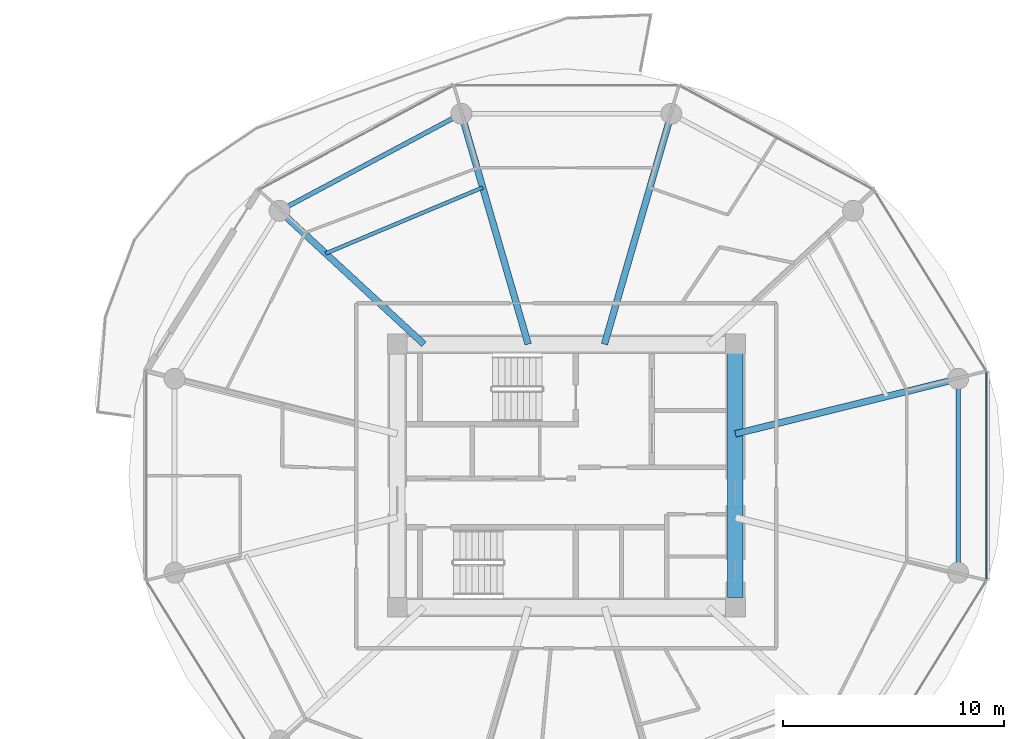
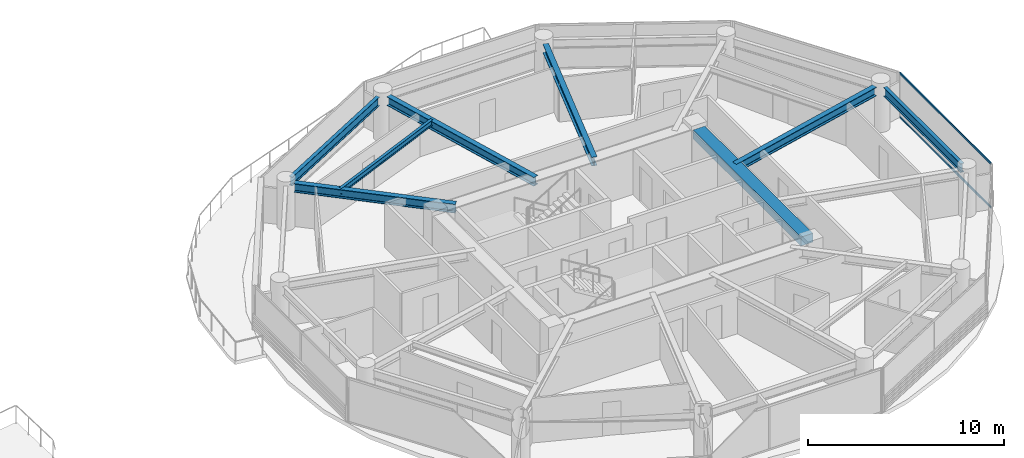
# One storey, part 12 of 27: 8 beams, 2 members, 1 element without a shape of its own.
"""IFC4 building model written with IfcOpenShell, lengths in metres."""

from ifc_helpers import new_model, si_unit, direction, frame, origin, origin_2d, place, context, subcontext, project, spatial, rectangle, i_section, extrude, source, transform, mapped, material, layer, layer_set, material_profile, profile_set, type_object, type_shapes, element, aggregate, save


model = new_model("IFC4")

# Units and contexts
model_context = context("Model", 3, precision=1e-05, world=origin(), true_north=direction((0.0, 1.0)))
body_context = subcontext(model_context, "Body", "Model", "MODEL_VIEW")
ifc_project = project(units=[si_unit("LENGTHUNIT", "METRE"), si_unit("AREAUNIT", "SQUARE_METRE"), si_unit("VOLUMEUNIT", "CUBIC_METRE"), si_unit("PLANEANGLEUNIT", "RADIAN"), si_unit("MASSUNIT", "GRAM", prefix="KILO")], contexts=[model_context])

# Site, building, storey
site_placement = place(None, origin())
site = spatial("IfcSite", under=ifc_project, at=site_placement, CompositionType="ELEMENT")
building_placement = place(site_placement, origin())
building = spatial("IfcBuilding", under=site, at=building_placement, Name="Norrkilde Senior Care Towers", CompositionType="ELEMENT")
storey_placement = place(building_placement, frame((0.0, 0.0, 58.199951171875)))
storey = spatial("IfcBuildingStorey", under=building, at=storey_placement, Name="L17", CompositionType="ELEMENT", Elevation=58.199951171875)

# Beams
ifc_material_1 = material(Name="Concrete C60/75", Category="concrete")
ifc_material_profile_1 = material_profile(ifc_material_1, rectangle(XDim=0.699951171875, YDim=0.550048828125, at=origin_2d()), Name="RC BM 700x550")
ifc_profile_set_1 = profile_set([ifc_material_profile_1], Name="Concrete C60/75")
beam_type_1 = type_object("IfcBeamType", Name="Core Portal Coupling Beam 700x550", PredefinedType="USERDEFINED", material=ifc_profile_set_1)
shared_shape_1 = source(origin(), body_context, "Body", "SweptSolid", [
    extrude(rectangle(XDim=0.699951171875, YDim=0.550048828125, at=origin_2d()), origin(), (0.0, 0.0, 1.0), 11.0400390625),
])
type_shapes(beam_type_1, [shared_shape_1])
beam_1_placement = place(storey_placement, frame((35.64990234375, -5.52001953125, 2.51513671875), z_axis=(0.0, 1.0, 0.0), x_axis=(-1.0, 0.0, 0.0)))
element("IfcBeam", 1, at=beam_1_placement, inside=storey, type_object=beam_type_1, Name="L17 Core E E Coupling Girder", ObjectType="GIRDER", PredefinedType="USERDEFINED", context=body_context, shape_type="MappedRepresentation", body=[
    mapped(shared_shape_1, transform((0.0, 0.0, 0.0), x_axis=(1.0, 0.0, 0.0), y_axis=(0.0, 1.0, 0.0), z_axis=(0.0, 0.0, 1.0), scale=1.0)),
])
ifc_material_2 = material(Name="Steel S355", Category="steel")
ifc_material_profile_2 = material_profile(ifc_material_2, i_section(OverallWidth=0.300048828125, OverallDepth=0.550048828125, WebThickness=0.014892578125, FlangeThickness=0.029052734375, FilletRadius=0.027099609375, at=origin_2d()), Name="HEB 550")
ifc_profile_set_2 = profile_set([ifc_material_profile_2], Name="Steel S355")
beam_type_2 = type_object("IfcBeamType", Name="Radial Floor Beam Z1 HEB550", PredefinedType="BEAM", material=ifc_profile_set_2)
shared_shape_2 = source(origin(), body_context, "Body", "SweptSolid", [
    extrude(i_section(OverallWidth=0.300048828125, OverallDepth=0.550048828125, WebThickness=0.014892578125, FlangeThickness=0.029052734375, FilletRadius=0.027099609375, at=origin_2d()), origin(), (0.0, 0.0, 1.0), 9.94384765625),
])
beam_2_placement = place(storey_placement, frame((35.64990234375, 1.893310546875, 2.51513671875), z_axis=(0.970707425182, 0.240264634718, 0.0), x_axis=(-0.240264634718, 0.970707425182, 0.0)))
element("IfcBeam", 2, at=beam_2_placement, inside=storey, type_object=beam_type_2, Name="L17 Drum E Radial Floor Beam 01", PredefinedType="BEAM", context=body_context, shape_type="MappedRepresentation", body=[
    mapped(shared_shape_2, transform((0.0, 0.0, 0.0), x_axis=(1.0, 0.0, 0.0), y_axis=(0.0, 1.0, 0.0), z_axis=(0.0, 0.0, 1.0), scale=1.0)),
])
ifc_material_profile_3 = material_profile(ifc_material_2, i_section(OverallWidth=0.2099609375, OverallDepth=0.550048828125, WebThickness=0.010986328125, FlangeThickness=0.01708984375, FilletRadius=0.02392578125, at=origin_2d()), Name="IPE 550")
ifc_profile_set_3 = profile_set([ifc_material_profile_3], Name="Steel S355")
beam_type_3 = type_object("IfcBeamType", Name="Perimeter Ring Spandrel Z1 IPE550", PredefinedType="SPANDREL", material=ifc_profile_set_3)
shared_shape_3 = source(origin(), body_context, "Body", "SweptSolid", [
    extrude(i_section(OverallWidth=0.2099609375, OverallDepth=0.550048828125, WebThickness=0.010986328125, FlangeThickness=0.01708984375, FilletRadius=0.02392578125, at=origin_2d()), origin(), (0.0, 0.0, 1.0), 8.452880859375),
])
beam_3_placement = place(storey_placement, frame((22.866943359375, 16.167724609375, 2.51513671875), z_axis=(-0.882368931134, -0.470558252898, 0.0), x_axis=(0.470558252898, -0.882368931134, 0.0)))
element("IfcBeam", 3, at=beam_3_placement, inside=storey, type_object=beam_type_3, Name="L17 Drum E Perimeter Spandrel 04", PredefinedType="SPANDREL", context=body_context, shape_type="MappedRepresentation", body=[
    mapped(shared_shape_3, transform((0.0, 0.0, 0.0), x_axis=(1.0, 0.0, 0.0), y_axis=(0.0, 1.0, 0.0), z_axis=(0.0, 0.0, 1.0), scale=1.0)),
])
shared_shape_4 = source(origin(), body_context, "Body", "SweptSolid", [
    extrude(i_section(OverallWidth=0.300048828125, OverallDepth=0.550048828125, WebThickness=0.014892578125, FlangeThickness=0.029052734375, FilletRadius=0.027099609375, at=origin_2d()), origin(), (0.0, 0.0, 1.0), 8.459716796875),
])
beam_4_placement = place(storey_placement, frame((21.55859375, 5.949951171875, 2.51513671875), z_axis=(-0.734573269108, 0.678529374686, 0.0), x_axis=(-0.678529374686, -0.734573269108, 0.0)))
element("IfcBeam", 4, at=beam_4_placement, inside=storey, type_object=beam_type_2, Name="L17 Drum E Radial Floor Beam 05", PredefinedType="BEAM", context=body_context, shape_type="MappedRepresentation", body=[
    mapped(shared_shape_4, transform((0.0, 0.0, 0.0), x_axis=(1.0, 0.0, 0.0), y_axis=(0.0, 1.0, 0.0), z_axis=(0.0, 0.0, 1.0), scale=1.0)),
])
shared_shape_5 = source(origin(), body_context, "Body", "SweptSolid", [
    extrude(i_section(OverallWidth=0.300048828125, OverallDepth=0.550048828125, WebThickness=0.014892578125, FlangeThickness=0.029052734375, FilletRadius=0.027099609375, at=origin_2d()), origin(), (0.0, 0.0, 1.0), 10.4169921875),
])
type_shapes(beam_type_2, [shared_shape_2, shared_shape_4, shared_shape_5])
for number, where, z_axis, x_axis, name in (
    (5, (29.72607421875, 5.949951171875, 2.51513671875), (0.278591250785, 0.960409764104, 0.0), (-0.960409764104, 0.278591250785, 0.0), "L17 Drum E Radial Floor Beam 03"),
    (6, (26.27392578125, 5.949951171875, 2.51513671875), (-0.278591250785, 0.960409764104, 0.0), (-0.960409764104, -0.278591250785, 0.0), "L17 Drum E Radial Floor Beam 04"),
):
    element("IfcBeam", number, at=place(storey_placement, frame(where, z_axis=z_axis, x_axis=x_axis)), inside=storey, type_object=beam_type_2, Name=name, PredefinedType="BEAM", context=body_context, shape_type="MappedRepresentation", body=[
        mapped(shared_shape_5, transform((0.0, 0.0, 0.0), x_axis=(1.0, 0.0, 0.0), y_axis=(0.0, 1.0, 0.0), z_axis=(0.0, 0.0, 1.0), scale=1.0)),
    ])
shared_shape_6 = source(origin(), body_context, "Body", "SweptSolid", [
    extrude(i_section(OverallWidth=0.2099609375, OverallDepth=0.550048828125, WebThickness=0.010986328125, FlangeThickness=0.01708984375, FilletRadius=0.02392578125, at=origin_2d()), origin(), (0.0, 0.0, 1.0), 7.90380859375),
])
type_shapes(beam_type_3, [shared_shape_3, shared_shape_6])
beam_5_placement = place(storey_placement, frame((45.724853515625, -3.951904296875, 2.51513671875), z_axis=(0.0, 1.0, 0.0), x_axis=(-1.0, 0.0, 0.0)))
element("IfcBeam", 7, at=beam_5_placement, inside=storey, type_object=beam_type_3, Name="L17 Drum E Perimeter Spandrel 12", PredefinedType="SPANDREL", context=body_context, shape_type="MappedRepresentation", body=[
    mapped(shared_shape_6, transform((0.0, 0.0, 0.0), x_axis=(1.0, 0.0, 0.0), y_axis=(0.0, 1.0, 0.0), z_axis=(0.0, 0.0, 1.0), scale=1.0)),
])
ifc_material_profile_4 = material_profile(ifc_material_2, i_section(OverallWidth=0.169921875, OverallDepth=0.360107421875, WebThickness=0.008056640625, FlangeThickness=0.0126953125, FilletRadius=0.01806640625, at=origin_2d()), Name="IPE 360")
ifc_profile_set_4 = profile_set([ifc_material_profile_4], Name="Steel S355")
beam_type_4 = type_object("IfcBeamType", Name="Secondary Floor Joist IPE360", PredefinedType="JOIST", material=ifc_profile_set_4)
shared_shape_7 = source(origin(), body_context, "Body", "SweptSolid", [
    extrude(i_section(OverallWidth=0.169921875, OverallDepth=0.360107421875, WebThickness=0.008056640625, FlangeThickness=0.0126953125, FilletRadius=0.01806640625, at=origin_2d()), origin(), (0.0, 0.0, 1.0), 7.703857421875),
])
type_shapes(beam_type_4, [shared_shape_7])
beam_6_placement = place(storey_placement, frame((24.21826171875, 13.037353515625, 2.610107421875), z_axis=(-0.921982784465, -0.387230868023, 0.0), x_axis=(0.387230868023, -0.921982784465, 0.0)))
element("IfcBeam", 8, at=beam_6_placement, inside=storey, type_object=beam_type_4, Name="L17 Drum E Secondary Floor Joist 2", PredefinedType="JOIST", context=body_context, shape_type="MappedRepresentation", body=[
    mapped(shared_shape_7, transform((0.0, 0.0, 0.0), x_axis=(1.0, 0.0, 0.0), y_axis=(0.0, 1.0, 0.0), z_axis=(0.0, 0.0, 1.0), scale=1.0)),
])

# Curtain wall, members
ifc_material_3 = material(Name="Triple Low-E Insulated Glazing", Category="glass")
ifc_layer = layer(ifc_material_3, 0.199951171875)
ifc_layer_set = layer_set([ifc_layer], Name="Triple Low-E Insulated Glazing")
curtain_wall_type = type_object("IfcCurtainWallType", Name="CW2 Zone 1 Memory Care Curtain Wall", PredefinedType="NOTDEFINED", material=ifc_layer_set)
curtain_wall_placement = place(storey_placement, origin())
curtain_wall = element("IfcCurtainWall", 9, at=curtain_wall_placement, inside=storey, type_object=curtain_wall_type, Name="L17 Drum E Curtain Wall 11", PredefinedType="NOTDEFINED")
ifc_material_4 = material(Name="Anodised Aluminium", Category="aluminium")
ifc_material_profile_5 = material_profile(ifc_material_4, rectangle(XDim=0.06005859375, YDim=0.1201171875, at=origin_2d()), Name="ALU TRAN 60x120")
ifc_profile_set_5 = profile_set([ifc_material_profile_5], Name="Anodised Aluminium")
member_type = type_object("IfcMemberType", Name="Curtain Wall Transom Typical 60x120", PredefinedType="USERDEFINED", material=ifc_profile_set_5)
shared_shape_8 = source(origin(), body_context, "Body", "SweptSolid", [
    extrude(rectangle(XDim=0.06005859375, YDim=0.1201171875, at=origin_2d()), origin(), (0.0, 0.0, 1.0), 9.33251953125),
])
type_shapes(member_type, [shared_shape_8])
member_1_placement = place(storey_placement, frame((47.009521484375, 4.666259765625, 0.030029296875), z_axis=(0.0, -1.0, 0.0), x_axis=(1.0, 0.0, 0.0)))
member_1 = element("IfcMember", 10, at=member_1_placement, type_object=member_type, Name="CW-2 transom 1.1", ObjectType="TRANSOM", PredefinedType="USERDEFINED", context=body_context, shape_type="MappedRepresentation", body=[
    mapped(shared_shape_8, transform((0.0, 0.0, 0.0), x_axis=(1.0, 0.0, 0.0), y_axis=(0.0, 1.0, 0.0), z_axis=(0.0, 0.0, 1.0), scale=1.0)),
])
member_2_placement = place(storey_placement, frame((47.009521484375, 4.666259765625, 2.760009765625), z_axis=(0.0, -1.0, 0.0), x_axis=(1.0, 0.0, 0.0)))
member_2 = element("IfcMember", 11, at=member_2_placement, type_object=member_type, Name="CW-2 transom 1.2", ObjectType="TRANSOM", PredefinedType="USERDEFINED", context=body_context, shape_type="MappedRepresentation", body=[
    mapped(shared_shape_8, transform((0.0, 0.0, 0.0), x_axis=(1.0, 0.0, 0.0), y_axis=(0.0, 1.0, 0.0), z_axis=(0.0, 0.0, 1.0), scale=1.0)),
])
aggregate(curtain_wall, [member_1, member_2])

save(model, "model.ifc")
